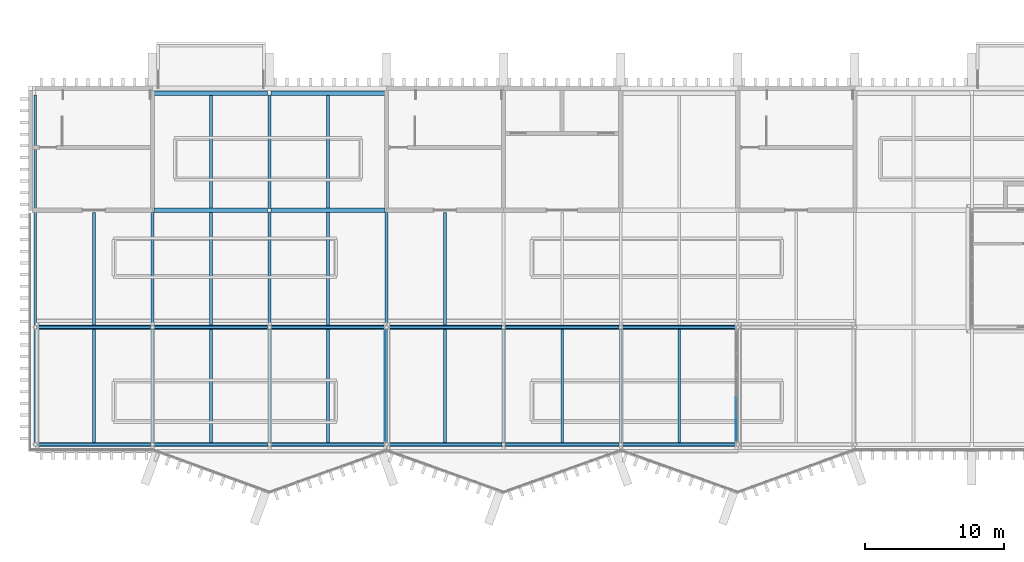
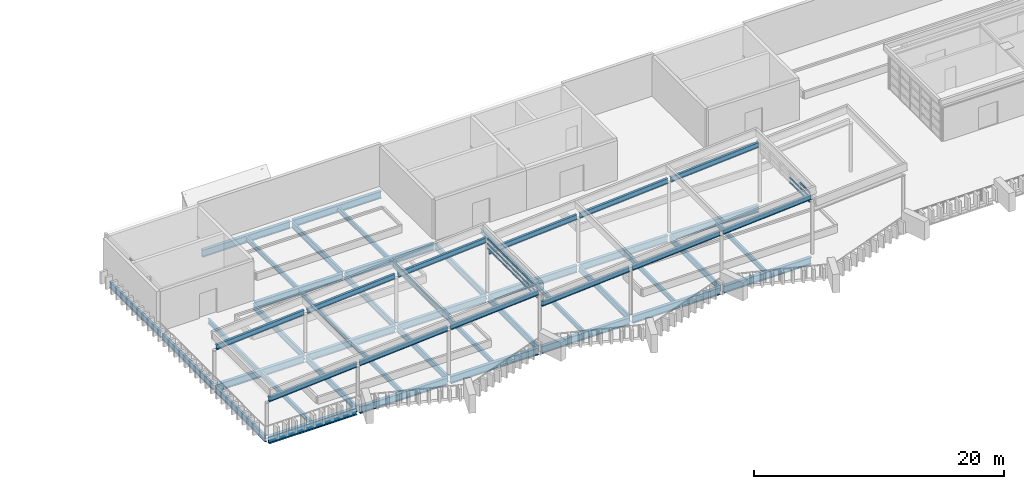
# One storey, part 11 of 51: 52 beams, 20 members, 2 elements without a shape of their own.
"""IFC4 building model written with IfcOpenShell, lengths in metres."""

from ifc_helpers import new_model, si_unit, direction, frame, origin, origin_2d, place, context, subcontext, project, spatial, rectangle, i_section, extrude, material, layer, layer_set, material_profile, profile_set, type_object, element, aggregate, save


model = new_model("IFC4")

# Units and contexts
model_context = context("Model", 3, precision=1e-05, world=origin(), true_north=direction((0.0, 1.0)))
body_context = subcontext(model_context, "Body", "Model", "MODEL_VIEW")
ifc_project = project(units=[si_unit("LENGTHUNIT", "METRE"), si_unit("AREAUNIT", "SQUARE_METRE"), si_unit("VOLUMEUNIT", "CUBIC_METRE"), si_unit("PLANEANGLEUNIT", "RADIAN"), si_unit("MASSUNIT", "GRAM", prefix="KILO")], contexts=[model_context])

# Site, building, storey
site_placement = place(None, origin())
site = spatial("IfcSite", under=ifc_project, at=site_placement, CompositionType="ELEMENT")
building_placement = place(site_placement, origin())
building = spatial("IfcBuilding", under=site, at=building_placement, Name="Cresset Court Congress Hotel", CompositionType="ELEMENT")
storey_placement = place(building_placement, frame((0.0, 0.0, 18.60009765625)))
storey = spatial("IfcBuildingStorey", under=building, at=storey_placement, Name="L04", CompositionType="ELEMENT", Elevation=18.60009765625)

# Curtain wall, members
ifc_material_1 = material(Name="Aluminium frame with double glazing", Category="aluminium")
ifc_layer = layer(ifc_material_1, 0.199951171875)
ifc_layer_set = layer_set([ifc_layer], Name="Glazed box curtain wall 1680 module")
curtain_wall_type = type_object("IfcCurtainWallType", Name="Glazed box curtain wall 1680 module", PredefinedType="NOTDEFINED", material=ifc_layer_set)
curtain_wall_1_placement = place(storey_placement, origin())
curtain_wall_1 = element("IfcCurtainWall", 1, at=curtain_wall_1_placement, inside=storey, type_object=curtain_wall_type, Name="Roof light face 1", PredefinedType="NOTDEFINED")
ifc_material_2 = material(Name="Aluminium", Category="aluminium")
ifc_material_profile_1 = material_profile(ifc_material_2, rectangle(XDim=0.06005859375, YDim=0.1201171875, at=origin_2d()), Name="Box transom 60x120")
ifc_profile_set_1 = profile_set([ifc_material_profile_1], Name="Aluminium")
member_type = type_object("IfcMemberType", Name="Box transom 60x120", PredefinedType="USERDEFINED", material=ifc_profile_set_1)
member_1_placement = place(storey_placement, frame((33.5, 0.260009765625, 4.429931640625), z_axis=(0.0, 1.0, 0.0), x_axis=(-1.0, 0.0, 0.0)))
member_1 = element("IfcMember", 2, at=member_1_placement, type_object=member_type, Name="B-X1 transom 1.1", ObjectType="TRANSOM", PredefinedType="USERDEFINED", context=body_context, shape_type="SweptSolid", body=[
    extrude(rectangle(XDim=0.06005859375, YDim=0.1201171875, at=origin_2d()), origin(), (0.0, 0.0, 1.0), 1.510009765625),
])
member_2_placement = place(storey_placement, frame((33.5, 0.260009765625, 4.8818359375), z_axis=(0.0, 1.0, 0.0), x_axis=(-1.0, 0.0, 0.0)))
member_2 = element("IfcMember", 3, at=member_2_placement, type_object=member_type, Name="B-X1 transom 1.2", ObjectType="TRANSOM", PredefinedType="USERDEFINED", context=body_context, shape_type="SweptSolid", body=[
    extrude(rectangle(XDim=0.06005859375, YDim=0.1201171875, at=origin_2d()), origin(), (0.0, 0.0, 1.0), 1.510009765625),
])
member_3_placement = place(storey_placement, frame((33.5, 0.260009765625, 5.333984375), z_axis=(0.0, 1.0, 0.0), x_axis=(-1.0, 0.0, 0.0)))
member_3 = element("IfcMember", 4, at=member_3_placement, type_object=member_type, Name="B-X1 transom 1.3", ObjectType="TRANSOM", PredefinedType="USERDEFINED", context=body_context, shape_type="SweptSolid", body=[
    extrude(rectangle(XDim=0.06005859375, YDim=0.1201171875, at=origin_2d()), origin(), (0.0, 0.0, 1.0), 1.510009765625),
])
member_4_placement = place(storey_placement, frame((33.5, 1.830078125, 4.429931640625), z_axis=(0.0, 1.0, 0.0), x_axis=(-1.0, 0.0, 0.0)))
member_4 = element("IfcMember", 5, at=member_4_placement, type_object=member_type, Name="B-X1 transom 2.1", ObjectType="TRANSOM", PredefinedType="USERDEFINED", context=body_context, shape_type="SweptSolid", body=[
    extrude(rectangle(XDim=0.06005859375, YDim=0.1201171875, at=origin_2d()), origin(), (0.0, 0.0, 1.0), 1.5400390625),
])
member_5_placement = place(storey_placement, frame((33.5, 1.830078125, 4.8818359375), z_axis=(0.0, 1.0, 0.0), x_axis=(-1.0, 0.0, 0.0)))
member_5 = element("IfcMember", 6, at=member_5_placement, type_object=member_type, Name="B-X1 transom 2.2", ObjectType="TRANSOM", PredefinedType="USERDEFINED", context=body_context, shape_type="SweptSolid", body=[
    extrude(rectangle(XDim=0.06005859375, YDim=0.1201171875, at=origin_2d()), origin(), (0.0, 0.0, 1.0), 1.5400390625),
])
member_6_placement = place(storey_placement, frame((33.5, 1.830078125, 5.333984375), z_axis=(0.0, 1.0, 0.0), x_axis=(-1.0, 0.0, 0.0)))
member_6 = element("IfcMember", 7, at=member_6_placement, type_object=member_type, Name="B-X1 transom 2.3", ObjectType="TRANSOM", PredefinedType="USERDEFINED", context=body_context, shape_type="SweptSolid", body=[
    extrude(rectangle(XDim=0.06005859375, YDim=0.1201171875, at=origin_2d()), origin(), (0.0, 0.0, 1.0), 1.5400390625),
])
member_7_placement = place(storey_placement, frame((33.5, 3.429931640625, 4.429931640625), z_axis=(0.0, 1.0, 0.0), x_axis=(-1.0, 0.0, 0.0)))
member_7 = element("IfcMember", 8, at=member_7_placement, type_object=member_type, Name="B-X1 transom 3.1", ObjectType="TRANSOM", PredefinedType="USERDEFINED", context=body_context, shape_type="SweptSolid", body=[
    extrude(rectangle(XDim=0.06005859375, YDim=0.1201171875, at=origin_2d()), origin(), (0.0, 0.0, 1.0), 1.5400390625),
])
member_8_placement = place(storey_placement, frame((33.5, 3.429931640625, 4.8818359375), z_axis=(0.0, 1.0, 0.0), x_axis=(-1.0, 0.0, 0.0)))
member_8 = element("IfcMember", 9, at=member_8_placement, type_object=member_type, Name="B-X1 transom 3.2", ObjectType="TRANSOM", PredefinedType="USERDEFINED", context=body_context, shape_type="SweptSolid", body=[
    extrude(rectangle(XDim=0.06005859375, YDim=0.1201171875, at=origin_2d()), origin(), (0.0, 0.0, 1.0), 1.5400390625),
])
member_9_placement = place(storey_placement, frame((33.5, 3.429931640625, 5.333984375), z_axis=(0.0, 1.0, 0.0), x_axis=(-1.0, 0.0, 0.0)))
member_9 = element("IfcMember", 10, at=member_9_placement, type_object=member_type, Name="B-X1 transom 3.3", ObjectType="TRANSOM", PredefinedType="USERDEFINED", context=body_context, shape_type="SweptSolid", body=[
    extrude(rectangle(XDim=0.06005859375, YDim=0.1201171875, at=origin_2d()), origin(), (0.0, 0.0, 1.0), 1.5400390625),
])
member_10_placement = place(storey_placement, frame((33.5, 5.030029296875, 4.429931640625), z_axis=(0.0, 1.0, 0.0), x_axis=(-1.0, 0.0, 0.0)))
member_10 = element("IfcMember", 11, at=member_10_placement, type_object=member_type, Name="B-X1 transom 4.1", ObjectType="TRANSOM", PredefinedType="USERDEFINED", context=body_context, shape_type="SweptSolid", body=[
    extrude(rectangle(XDim=0.06005859375, YDim=0.1201171875, at=origin_2d()), origin(), (0.0, 0.0, 1.0), 1.5400390625),
])
member_11_placement = place(storey_placement, frame((33.5, 5.030029296875, 4.8818359375), z_axis=(0.0, 1.0, 0.0), x_axis=(-1.0, 0.0, 0.0)))
member_11 = element("IfcMember", 12, at=member_11_placement, type_object=member_type, Name="B-X1 transom 4.2", ObjectType="TRANSOM", PredefinedType="USERDEFINED", context=body_context, shape_type="SweptSolid", body=[
    extrude(rectangle(XDim=0.06005859375, YDim=0.1201171875, at=origin_2d()), origin(), (0.0, 0.0, 1.0), 1.5400390625),
])
member_12_placement = place(storey_placement, frame((33.5, 5.030029296875, 5.333984375), z_axis=(0.0, 1.0, 0.0), x_axis=(-1.0, 0.0, 0.0)))
member_12 = element("IfcMember", 13, at=member_12_placement, type_object=member_type, Name="B-X1 transom 4.3", ObjectType="TRANSOM", PredefinedType="USERDEFINED", context=body_context, shape_type="SweptSolid", body=[
    extrude(rectangle(XDim=0.06005859375, YDim=0.1201171875, at=origin_2d()), origin(), (0.0, 0.0, 1.0), 1.5400390625),
])
member_13_placement = place(storey_placement, frame((33.5, 6.6298828125, 4.429931640625), z_axis=(0.0, 1.0, 0.0), x_axis=(-1.0, 0.0, 0.0)))
member_13 = element("IfcMember", 14, at=member_13_placement, type_object=member_type, Name="B-X1 transom 5.1", ObjectType="TRANSOM", PredefinedType="USERDEFINED", context=body_context, shape_type="SweptSolid", body=[
    extrude(rectangle(XDim=0.06005859375, YDim=0.1201171875, at=origin_2d()), origin(), (0.0, 0.0, 1.0), 1.510009765625),
])
member_14_placement = place(storey_placement, frame((33.5, 6.6298828125, 4.8818359375), z_axis=(0.0, 1.0, 0.0), x_axis=(-1.0, 0.0, 0.0)))
member_14 = element("IfcMember", 15, at=member_14_placement, type_object=member_type, Name="B-X1 transom 5.2", ObjectType="TRANSOM", PredefinedType="USERDEFINED", context=body_context, shape_type="SweptSolid", body=[
    extrude(rectangle(XDim=0.06005859375, YDim=0.1201171875, at=origin_2d()), origin(), (0.0, 0.0, 1.0), 1.510009765625),
])
member_15_placement = place(storey_placement, frame((33.5, 6.6298828125, 5.333984375), z_axis=(0.0, 1.0, 0.0), x_axis=(-1.0, 0.0, 0.0)))
member_15 = element("IfcMember", 16, at=member_15_placement, type_object=member_type, Name="B-X1 transom 5.3", ObjectType="TRANSOM", PredefinedType="USERDEFINED", context=body_context, shape_type="SweptSolid", body=[
    extrude(rectangle(XDim=0.06005859375, YDim=0.1201171875, at=origin_2d()), origin(), (0.0, 0.0, 1.0), 1.510009765625),
])
aggregate(curtain_wall_1, [member_1, member_2, member_3, member_4, member_5, member_6, member_7, member_8, member_9, member_10, member_11, member_12, member_13, member_14, member_15])

curtain_wall_2_placement = place(storey_placement, origin())
curtain_wall_2 = element("IfcCurtainWall", 17, at=curtain_wall_2_placement, inside=storey, type_object=curtain_wall_type, Name="Roof light face 2", PredefinedType="NOTDEFINED")
member_16_placement = place(storey_placement, frame((58.699951171875, 0.260009765625, 4.929931640625), z_axis=(0.0, 1.0, 0.0), x_axis=(-1.0, 0.0, 0.0)))
member_16 = element("IfcMember", 18, at=member_16_placement, type_object=member_type, Name="B-X1 transom 1.1", ObjectType="TRANSOM", PredefinedType="USERDEFINED", context=body_context, shape_type="SweptSolid", body=[
    extrude(rectangle(XDim=0.06005859375, YDim=0.1201171875, at=origin_2d()), origin(), (0.0, 0.0, 1.0), 1.510009765625),
])
member_17_placement = place(storey_placement, frame((58.699951171875, 0.260009765625, 5.3818359375), z_axis=(0.0, 1.0, 0.0), x_axis=(-1.0, 0.0, 0.0)))
member_17 = element("IfcMember", 19, at=member_17_placement, type_object=member_type, Name="B-X1 transom 1.2", ObjectType="TRANSOM", PredefinedType="USERDEFINED", context=body_context, shape_type="SweptSolid", body=[
    extrude(rectangle(XDim=0.06005859375, YDim=0.1201171875, at=origin_2d()), origin(), (0.0, 0.0, 1.0), 1.510009765625),
])
member_18_placement = place(storey_placement, frame((58.699951171875, 0.260009765625, 5.833984375), z_axis=(0.0, 1.0, 0.0), x_axis=(-1.0, 0.0, 0.0)))
member_18 = element("IfcMember", 20, at=member_18_placement, type_object=member_type, Name="B-X1 transom 1.3", ObjectType="TRANSOM", PredefinedType="USERDEFINED", context=body_context, shape_type="SweptSolid", body=[
    extrude(rectangle(XDim=0.06005859375, YDim=0.1201171875, at=origin_2d()), origin(), (0.0, 0.0, 1.0), 1.510009765625),
])
member_19_placement = place(storey_placement, frame((58.699951171875, 1.830078125, 4.929931640625), z_axis=(0.0, 1.0, 0.0), x_axis=(-1.0, 0.0, 0.0)))
member_19 = element("IfcMember", 21, at=member_19_placement, type_object=member_type, Name="B-X1 transom 2.1", ObjectType="TRANSOM", PredefinedType="USERDEFINED", context=body_context, shape_type="SweptSolid", body=[
    extrude(rectangle(XDim=0.06005859375, YDim=0.1201171875, at=origin_2d()), origin(), (0.0, 0.0, 1.0), 1.5400390625),
])
member_20_placement = place(storey_placement, frame((58.699951171875, 1.830078125, 5.3818359375), z_axis=(0.0, 1.0, 0.0), x_axis=(-1.0, 0.0, 0.0)))
member_20 = element("IfcMember", 22, at=member_20_placement, type_object=member_type, Name="B-X1 transom 2.2", ObjectType="TRANSOM", PredefinedType="USERDEFINED", context=body_context, shape_type="SweptSolid", body=[
    extrude(rectangle(XDim=0.06005859375, YDim=0.1201171875, at=origin_2d()), origin(), (0.0, 0.0, 1.0), 1.5400390625),
])
aggregate(curtain_wall_2, [member_16, member_17, member_18, member_19, member_20])

# Beams
ifc_material_3 = material(Name="Structural steel Q355B", Category="steel")
ifc_material_profile_2 = material_profile(ifc_material_3, i_section(OverallWidth=0.199951171875, OverallDepth=0.5, WebThickness=0.010009765625, FlangeThickness=0.01611328125, FilletRadius=0.012939453125, at=origin_2d()), Name="HN500x200x10x16")
ifc_profile_set_2 = profile_set([ifc_material_profile_2], Name="Structural steel Q355B")
beam_type_1 = type_object("IfcBeamType", Name="Roof rafter HN500x200x10x16", PredefinedType="BEAM", material=ifc_profile_set_2)
for number, where, z_axis, x_axis, name in (
    (23, (8.53662109375, 0.0, 3.359619140625), (0.997561388045, 0.0, 0.06979453475), (0.0, 1.0, 0.0), "Roof rafter 1"),
    (24, (8.53662109375, 8.39990234375, 3.359619140625), (0.997561388045, 0.0, 0.06979453475), (0.0, 1.0, 0.0), "Roof rafter 1"),
    (25, (16.9365234375, 0.0, 3.947509765625), (0.99755930113, 0.0, 0.069824356274), (0.0, 1.0, 0.0), "Roof rafter 1"),
    (26, (16.9365234375, 8.39990234375, 3.947509765625), (0.99755930113, 0.0, 0.069824356274), (0.0, 1.0, 0.0), "Roof rafter 1"),
    (27, (25.33642578125, 0.0, 4.535400390625), (0.99755930113, 0.0, 0.069824356274), (0.0, 1.0, 0.0), "Roof rafter 1"),
    (28, (25.33642578125, 8.39990234375, 4.535400390625), (0.99755930113, 0.0, 0.069824356274), (0.0, 1.0, 0.0), "Roof rafter 1"),
    (29, (33.736572265625, 0.0, 3.859619140625), (0.997561388045, 0.0, 0.06979453475), (0.0, 1.0, 0.0), "Roof rafter 2"),
    (30, (33.736572265625, 8.39990234375, 3.859619140625), (0.997561388045, 0.0, 0.06979453475), (0.0, 1.0, 0.0), "Roof rafter 2"),
    (31, (42.136474609375, 0.0, 4.447509765625), (0.99755930113, 0.0, 0.069824356274), (0.0, 1.0, 0.0), "Roof rafter 2"),
    (32, (42.136474609375, 8.39990234375, 4.447509765625), (0.99755930113, 0.0, 0.069824356274), (0.0, 1.0, 0.0), "Roof rafter 2"),
    (33, (50.53662109375, 0.0, 5.035400390625), (0.99755930113, 0.0, 0.069824356274), (0.0, 1.0, 0.0), "Roof rafter 2"),
    (34, (50.53662109375, 8.39990234375, 5.035400390625), (0.99755930113, 0.0, 0.069824356274), (0.0, 1.0, 0.0), "Roof rafter 2"),
):
    element("IfcBeam", number, at=place(storey_placement, frame(where, z_axis=z_axis, x_axis=x_axis)), inside=storey, type_object=beam_type_1, Name=name, PredefinedType="BEAM", context=body_context, shape_type="SweptSolid", body=[
        extrude(i_section(OverallWidth=0.199951171875, OverallDepth=0.5, WebThickness=0.010009765625, FlangeThickness=0.01611328125, FilletRadius=0.012939453125, at=origin_2d()), origin(), (0.0, 0.0, 1.0), 8.146728515625),
    ])
ifc_material_4 = material(Name="Structural steel Q355B", Category="steel")
ifc_material_profile_3 = material_profile(ifc_material_4, i_section(OverallWidth=0.199951171875, OverallDepth=0.60009765625, WebThickness=0.010986328125, FlangeThickness=0.01708984375, FilletRadius=0.012939453125, at=origin_2d()), Name="HN600x200x11x17")
ifc_profile_set_3 = profile_set([ifc_material_profile_3], Name="Structural steel Q355B")
beam_type_2 = type_object("IfcBeamType", Name="Steel beam HN600x200x11x17", PredefinedType="BEAM", material=ifc_profile_set_3)
beam_1_placement = place(storey_placement, frame((8.39990234375, 0.125, -0.550048828125), z_axis=(0.0, 1.0, 0.0), x_axis=(-1.0, 0.0, 0.0)))
element("IfcBeam", 35, at=beam_1_placement, inside=storey, type_object=beam_type_2, Name="B.by.L04.02A", PredefinedType="BEAM", context=body_context, shape_type="SweptSolid", body=[
    extrude(i_section(OverallWidth=0.199951171875, OverallDepth=0.60009765625, WebThickness=0.010986328125, FlangeThickness=0.01708984375, FilletRadius=0.012939453125, at=origin_2d()), origin(), (0.0, 0.0, 1.0), 8.14990234375),
])
beam_2_placement = place(storey_placement, frame((8.39990234375, 8.52490234375, -0.550048828125), z_axis=(0.0, 1.0, 0.0), x_axis=(-1.0, 0.0, 0.0)))
element("IfcBeam", 36, at=beam_2_placement, inside=storey, type_object=beam_type_2, Name="B.by.L04.02B", PredefinedType="BEAM", context=body_context, shape_type="SweptSolid", body=[
    extrude(i_section(OverallWidth=0.199951171875, OverallDepth=0.60009765625, WebThickness=0.010986328125, FlangeThickness=0.01708984375, FilletRadius=0.012939453125, at=origin_2d()), origin(), (0.0, 0.0, 1.0), 8.150146484375),
])
for number, where, z_axis, x_axis, name in (
    (37, (8.39990234375, 16.925048828125, -0.550048828125), (0.0, 1.0, 0.0), (-1.0, 0.0, 0.0), "B.by.L04.02C"),
    (38, (16.800048828125, 0.125, -0.550048828125), (0.0, 1.0, 0.0), (-1.0, 0.0, 0.0), "B.by.L04.03A"),
):
    element("IfcBeam", number, at=place(storey_placement, frame(where, z_axis=z_axis, x_axis=x_axis)), inside=storey, type_object=beam_type_2, Name=name, PredefinedType="BEAM", context=body_context, shape_type="SweptSolid", body=[
        extrude(i_section(OverallWidth=0.199951171875, OverallDepth=0.60009765625, WebThickness=0.010986328125, FlangeThickness=0.01708984375, FilletRadius=0.012939453125, at=origin_2d()), origin(), (0.0, 0.0, 1.0), 8.14990234375),
    ])
beam_3_placement = place(storey_placement, frame((16.800048828125, 8.52490234375, -0.550048828125), z_axis=(0.0, 1.0, 0.0), x_axis=(-1.0, 0.0, 0.0)))
element("IfcBeam", 39, at=beam_3_placement, inside=storey, type_object=beam_type_2, Name="B.by.L04.03B", PredefinedType="BEAM", context=body_context, shape_type="SweptSolid", body=[
    extrude(i_section(OverallWidth=0.199951171875, OverallDepth=0.60009765625, WebThickness=0.010986328125, FlangeThickness=0.01708984375, FilletRadius=0.012939453125, at=origin_2d()), origin(), (0.0, 0.0, 1.0), 8.150146484375),
])
beam_4_placement = place(storey_placement, frame((25.199951171875, 0.125, -0.550048828125), z_axis=(0.0, 1.0, 0.0), x_axis=(-1.0, 0.0, 0.0)))
element("IfcBeam", 40, at=beam_4_placement, inside=storey, type_object=beam_type_2, Name="B.by.L04.04A", PredefinedType="BEAM", context=body_context, shape_type="SweptSolid", body=[
    extrude(i_section(OverallWidth=0.199951171875, OverallDepth=0.60009765625, WebThickness=0.010986328125, FlangeThickness=0.01708984375, FilletRadius=0.012939453125, at=origin_2d()), origin(), (0.0, 0.0, 1.0), 8.14990234375),
])
beam_5_placement = place(storey_placement, frame((25.199951171875, 8.52490234375, -0.550048828125), z_axis=(0.0, 1.0, 0.0), x_axis=(-1.0, 0.0, 0.0)))
element("IfcBeam", 41, at=beam_5_placement, inside=storey, type_object=beam_type_2, Name="B.by.L04.04B", PredefinedType="BEAM", context=body_context, shape_type="SweptSolid", body=[
    extrude(i_section(OverallWidth=0.199951171875, OverallDepth=0.60009765625, WebThickness=0.010986328125, FlangeThickness=0.01708984375, FilletRadius=0.012939453125, at=origin_2d()), origin(), (0.0, 0.0, 1.0), 8.150146484375),
])
for number, where, z_axis, x_axis, name in (
    (42, (25.199951171875, 16.925048828125, -0.550048828125), (0.0, 1.0, 0.0), (-1.0, 0.0, 0.0), "B.by.L04.04C"),
    (43, (33.60009765625, 0.125, -0.550048828125), (0.0, 1.0, 0.0), (-1.0, 0.0, 0.0), "B.by.L04.05A"),
):
    element("IfcBeam", number, at=place(storey_placement, frame(where, z_axis=z_axis, x_axis=x_axis)), inside=storey, type_object=beam_type_2, Name=name, PredefinedType="BEAM", context=body_context, shape_type="SweptSolid", body=[
        extrude(i_section(OverallWidth=0.199951171875, OverallDepth=0.60009765625, WebThickness=0.010986328125, FlangeThickness=0.01708984375, FilletRadius=0.012939453125, at=origin_2d()), origin(), (0.0, 0.0, 1.0), 8.14990234375),
    ])
beam_6_placement = place(storey_placement, frame((33.60009765625, 8.52490234375, -0.550048828125), z_axis=(0.0, 1.0, 0.0), x_axis=(-1.0, 0.0, 0.0)))
element("IfcBeam", 44, at=beam_6_placement, inside=storey, type_object=beam_type_2, Name="B.by.L04.05B", PredefinedType="BEAM", context=body_context, shape_type="SweptSolid", body=[
    extrude(i_section(OverallWidth=0.199951171875, OverallDepth=0.60009765625, WebThickness=0.010986328125, FlangeThickness=0.01708984375, FilletRadius=0.012939453125, at=origin_2d()), origin(), (0.0, 0.0, 1.0), 8.150146484375),
])
for number, where, z_axis, x_axis, name in (
    (45, (42.0, 0.125, -0.550048828125), (0.0, 1.0, 0.0), (-1.0, 0.0, 0.0), "B.by.L04.06A"),
    (46, (50.39990234375, 0.125, -0.550048828125), (0.0, 1.0, 0.0), (-1.0, 0.0, 0.0), "B.by.L04.07A"),
):
    element("IfcBeam", number, at=place(storey_placement, frame(where, z_axis=z_axis, x_axis=x_axis)), inside=storey, type_object=beam_type_2, Name=name, PredefinedType="BEAM", context=body_context, shape_type="SweptSolid", body=[
        extrude(i_section(OverallWidth=0.199951171875, OverallDepth=0.60009765625, WebThickness=0.010986328125, FlangeThickness=0.01708984375, FilletRadius=0.012939453125, at=origin_2d()), origin(), (0.0, 0.0, 1.0), 8.14990234375),
    ])
ifc_material_5 = material(Name="Structural steel Q355B", Category="steel")
ifc_material_profile_4 = material_profile(ifc_material_5, i_section(OverallWidth=0.300048828125, OverallDepth=0.699951171875, WebThickness=0.012939453125, FlangeThickness=0.02392578125, FilletRadius=0.01806640625, at=origin_2d()), Name="HN700x300x13x24")
ifc_profile_set_4 = profile_set([ifc_material_profile_4], Name="Structural steel Q355B")
beam_type_3 = type_object("IfcBeamType", Name="Steel beam HN700x300x13x24", PredefinedType="BEAM", material=ifc_profile_set_4)
beam_7_placement = place(storey_placement, frame((8.52490234375, 0.0, -0.60009765625), z_axis=(1.0, 0.0, 0.0), x_axis=(0.0, 1.0, 0.0)))
element("IfcBeam", 47, at=beam_7_placement, inside=storey, type_object=beam_type_3, Name="B.bx.L04.A02", PredefinedType="BEAM", context=body_context, shape_type="SweptSolid", body=[
    extrude(i_section(OverallWidth=0.300048828125, OverallDepth=0.699951171875, WebThickness=0.012939453125, FlangeThickness=0.02392578125, FilletRadius=0.01806640625, at=origin_2d()), origin(), (0.0, 0.0, 1.0), 8.150146484375),
])
beam_8_placement = place(storey_placement, frame((16.925048828125, 0.0, -0.60009765625), z_axis=(1.0, 0.0, 0.0), x_axis=(0.0, 1.0, 0.0)))
element("IfcBeam", 48, at=beam_8_placement, inside=storey, type_object=beam_type_3, Name="B.bx.L04.A03", PredefinedType="BEAM", context=body_context, shape_type="SweptSolid", body=[
    extrude(i_section(OverallWidth=0.300048828125, OverallDepth=0.699951171875, WebThickness=0.012939453125, FlangeThickness=0.02392578125, FilletRadius=0.01806640625, at=origin_2d()), origin(), (0.0, 0.0, 1.0), 8.14990234375),
])
beam_9_placement = place(storey_placement, frame((25.324951171875, 0.0, -0.60009765625), z_axis=(1.0, 0.0, 0.0), x_axis=(0.0, 1.0, 0.0)))
element("IfcBeam", 49, at=beam_9_placement, inside=storey, type_object=beam_type_3, Name="B.bx.L04.A04", PredefinedType="BEAM", context=body_context, shape_type="SweptSolid", body=[
    extrude(i_section(OverallWidth=0.300048828125, OverallDepth=0.699951171875, WebThickness=0.012939453125, FlangeThickness=0.02392578125, FilletRadius=0.01806640625, at=origin_2d()), origin(), (0.0, 0.0, 1.0), 8.150146484375),
])
for number, where, z_axis, x_axis, name in (
    (50, (33.72509765625, 0.0, -0.60009765625), (1.0, 0.0, 0.0), (0.0, 1.0, 0.0), "B.bx.L04.A05"),
    (51, (42.125, 0.0, -0.60009765625), (1.0, 0.0, 0.0), (0.0, 1.0, 0.0), "B.bx.L04.A06"),
):
    element("IfcBeam", number, at=place(storey_placement, frame(where, z_axis=z_axis, x_axis=x_axis)), inside=storey, type_object=beam_type_3, Name=name, PredefinedType="BEAM", context=body_context, shape_type="SweptSolid", body=[
        extrude(i_section(OverallWidth=0.300048828125, OverallDepth=0.699951171875, WebThickness=0.012939453125, FlangeThickness=0.02392578125, FilletRadius=0.01806640625, at=origin_2d()), origin(), (0.0, 0.0, 1.0), 8.14990234375),
    ])
for number, where, z_axis, x_axis, name in (
    (52, (50.52490234375, 0.0, -0.60009765625), (1.0, 0.0, 0.0), (0.0, 1.0, 0.0), "B.bx.L04.A07"),
    (53, (8.52490234375, 8.39990234375, -0.60009765625), (1.0, 0.0, 0.0), (0.0, 1.0, 0.0), "B.bx.L04.B02"),
):
    element("IfcBeam", number, at=place(storey_placement, frame(where, z_axis=z_axis, x_axis=x_axis)), inside=storey, type_object=beam_type_3, Name=name, PredefinedType="BEAM", context=body_context, shape_type="SweptSolid", body=[
        extrude(i_section(OverallWidth=0.300048828125, OverallDepth=0.699951171875, WebThickness=0.012939453125, FlangeThickness=0.02392578125, FilletRadius=0.01806640625, at=origin_2d()), origin(), (0.0, 0.0, 1.0), 8.150146484375),
    ])
beam_10_placement = place(storey_placement, frame((16.925048828125, 8.39990234375, -0.60009765625), z_axis=(1.0, 0.0, 0.0), x_axis=(0.0, 1.0, 0.0)))
element("IfcBeam", 54, at=beam_10_placement, inside=storey, type_object=beam_type_3, Name="B.bx.L04.B03", PredefinedType="BEAM", context=body_context, shape_type="SweptSolid", body=[
    extrude(i_section(OverallWidth=0.300048828125, OverallDepth=0.699951171875, WebThickness=0.012939453125, FlangeThickness=0.02392578125, FilletRadius=0.01806640625, at=origin_2d()), origin(), (0.0, 0.0, 1.0), 8.14990234375),
])
beam_11_placement = place(storey_placement, frame((25.324951171875, 8.39990234375, -0.60009765625), z_axis=(1.0, 0.0, 0.0), x_axis=(0.0, 1.0, 0.0)))
element("IfcBeam", 55, at=beam_11_placement, inside=storey, type_object=beam_type_3, Name="B.bx.L04.B04", PredefinedType="BEAM", context=body_context, shape_type="SweptSolid", body=[
    extrude(i_section(OverallWidth=0.300048828125, OverallDepth=0.699951171875, WebThickness=0.012939453125, FlangeThickness=0.02392578125, FilletRadius=0.01806640625, at=origin_2d()), origin(), (0.0, 0.0, 1.0), 8.150146484375),
])
for number, where, z_axis, x_axis, name in (
    (56, (33.72509765625, 8.39990234375, -0.60009765625), (1.0, 0.0, 0.0), (0.0, 1.0, 0.0), "B.bx.L04.B05"),
    (57, (42.125, 8.39990234375, -0.60009765625), (1.0, 0.0, 0.0), (0.0, 1.0, 0.0), "B.bx.L04.B06"),
):
    element("IfcBeam", number, at=place(storey_placement, frame(where, z_axis=z_axis, x_axis=x_axis)), inside=storey, type_object=beam_type_3, Name=name, PredefinedType="BEAM", context=body_context, shape_type="SweptSolid", body=[
        extrude(i_section(OverallWidth=0.300048828125, OverallDepth=0.699951171875, WebThickness=0.012939453125, FlangeThickness=0.02392578125, FilletRadius=0.01806640625, at=origin_2d()), origin(), (0.0, 0.0, 1.0), 8.14990234375),
    ])
beam_12_placement = place(storey_placement, frame((50.52490234375, 8.39990234375, -0.60009765625), z_axis=(1.0, 0.0, 0.0), x_axis=(0.0, 1.0, 0.0)))
element("IfcBeam", 58, at=beam_12_placement, inside=storey, type_object=beam_type_3, Name="B.bx.L04.B07", PredefinedType="BEAM", context=body_context, shape_type="SweptSolid", body=[
    extrude(i_section(OverallWidth=0.300048828125, OverallDepth=0.699951171875, WebThickness=0.012939453125, FlangeThickness=0.02392578125, FilletRadius=0.01806640625, at=origin_2d()), origin(), (0.0, 0.0, 1.0), 8.150146484375),
])
beam_13_placement = place(storey_placement, frame((16.925048828125, 16.800048828125, -0.60009765625), z_axis=(1.0, 0.0, 0.0), x_axis=(0.0, 1.0, 0.0)))
element("IfcBeam", 59, at=beam_13_placement, inside=storey, type_object=beam_type_3, Name="B.bx.L04.C03", PredefinedType="BEAM", context=body_context, shape_type="SweptSolid", body=[
    extrude(i_section(OverallWidth=0.300048828125, OverallDepth=0.699951171875, WebThickness=0.012939453125, FlangeThickness=0.02392578125, FilletRadius=0.01806640625, at=origin_2d()), origin(), (0.0, 0.0, 1.0), 8.14990234375),
])
beam_14_placement = place(storey_placement, frame((25.324951171875, 16.800048828125, -0.60009765625), z_axis=(1.0, 0.0, 0.0), x_axis=(0.0, 1.0, 0.0)))
element("IfcBeam", 60, at=beam_14_placement, inside=storey, type_object=beam_type_3, Name="B.bx.L04.C04", PredefinedType="BEAM", context=body_context, shape_type="SweptSolid", body=[
    extrude(i_section(OverallWidth=0.300048828125, OverallDepth=0.699951171875, WebThickness=0.012939453125, FlangeThickness=0.02392578125, FilletRadius=0.01806640625, at=origin_2d()), origin(), (0.0, 0.0, 1.0), 8.150146484375),
])
beam_15_placement = place(storey_placement, frame((16.925048828125, 25.199951171875, -0.60009765625), z_axis=(1.0, 0.0, 0.0), x_axis=(0.0, 1.0, 0.0)))
element("IfcBeam", 61, at=beam_15_placement, inside=storey, type_object=beam_type_3, Name="B.bx.L04.D03", PredefinedType="BEAM", context=body_context, shape_type="SweptSolid", body=[
    extrude(i_section(OverallWidth=0.300048828125, OverallDepth=0.699951171875, WebThickness=0.012939453125, FlangeThickness=0.02392578125, FilletRadius=0.01806640625, at=origin_2d()), origin(), (0.0, 0.0, 1.0), 8.14990234375),
])
beam_16_placement = place(storey_placement, frame((25.324951171875, 25.199951171875, -0.60009765625), z_axis=(1.0, 0.0, 0.0), x_axis=(0.0, 1.0, 0.0)))
element("IfcBeam", 62, at=beam_16_placement, inside=storey, type_object=beam_type_3, Name="B.bx.L04.D04", PredefinedType="BEAM", context=body_context, shape_type="SweptSolid", body=[
    extrude(i_section(OverallWidth=0.300048828125, OverallDepth=0.699951171875, WebThickness=0.012939453125, FlangeThickness=0.02392578125, FilletRadius=0.01806640625, at=origin_2d()), origin(), (0.0, 0.0, 1.0), 8.150146484375),
])
ifc_material_6 = material(Name="Structural steel Q355B", Category="steel")
ifc_material_profile_5 = material_profile(ifc_material_6, i_section(OverallWidth=0.199951171875, OverallDepth=0.449951171875, WebThickness=0.009033203125, FlangeThickness=0.013916015625, FilletRadius=0.012939453125, at=origin_2d()), Name="HN450x200x9x14")
ifc_profile_set_5 = profile_set([ifc_material_profile_5], Name="Structural steel Q355B")
beam_type_4 = type_object("IfcBeamType", Name="Steel joist HN450x200x9x14", PredefinedType="JOIST", material=ifc_profile_set_5)
beam_17_placement = place(storey_placement, frame((12.60009765625, 0.14990234375, -0.47509765625), z_axis=(0.0, 1.0, 0.0), x_axis=(-1.0, 0.0, 0.0)))
element("IfcBeam", 63, at=beam_17_placement, inside=storey, type_object=beam_type_4, Name="B.bj.L04.02A", PredefinedType="JOIST", context=body_context, shape_type="SweptSolid", body=[
    extrude(i_section(OverallWidth=0.199951171875, OverallDepth=0.449951171875, WebThickness=0.009033203125, FlangeThickness=0.013916015625, FilletRadius=0.012939453125, at=origin_2d()), origin(), (0.0, 0.0, 1.0), 8.10009765625),
])
beam_18_placement = place(storey_placement, frame((12.60009765625, 8.550048828125, -0.47509765625), z_axis=(0.0, 1.0, 0.0), x_axis=(-1.0, 0.0, 0.0)))
element("IfcBeam", 64, at=beam_18_placement, inside=storey, type_object=beam_type_4, Name="B.bj.L04.02B", PredefinedType="JOIST", context=body_context, shape_type="SweptSolid", body=[
    extrude(i_section(OverallWidth=0.199951171875, OverallDepth=0.449951171875, WebThickness=0.009033203125, FlangeThickness=0.013916015625, FilletRadius=0.012939453125, at=origin_2d()), origin(), (0.0, 0.0, 1.0), 8.099853515625),
])
beam_19_placement = place(storey_placement, frame((21.0, 0.14990234375, -0.47509765625), z_axis=(0.0, 1.0, 0.0), x_axis=(-1.0, 0.0, 0.0)))
element("IfcBeam", 65, at=beam_19_placement, inside=storey, type_object=beam_type_4, Name="B.bj.L04.03A", PredefinedType="JOIST", context=body_context, shape_type="SweptSolid", body=[
    extrude(i_section(OverallWidth=0.199951171875, OverallDepth=0.449951171875, WebThickness=0.009033203125, FlangeThickness=0.013916015625, FilletRadius=0.012939453125, at=origin_2d()), origin(), (0.0, 0.0, 1.0), 8.10009765625),
])
beam_20_placement = place(storey_placement, frame((21.0, 8.550048828125, -0.47509765625), z_axis=(0.0, 1.0, 0.0), x_axis=(-1.0, 0.0, 0.0)))
element("IfcBeam", 66, at=beam_20_placement, inside=storey, type_object=beam_type_4, Name="B.bj.L04.03B", PredefinedType="JOIST", context=body_context, shape_type="SweptSolid", body=[
    extrude(i_section(OverallWidth=0.199951171875, OverallDepth=0.449951171875, WebThickness=0.009033203125, FlangeThickness=0.013916015625, FilletRadius=0.012939453125, at=origin_2d()), origin(), (0.0, 0.0, 1.0), 8.099853515625),
])
for number, where, z_axis, x_axis, name in (
    (67, (21.0, 16.949951171875, -0.47509765625), (0.0, 1.0, 0.0), (-1.0, 0.0, 0.0), "B.bj.L04.03C"),
    (68, (29.39990234375, 0.14990234375, -0.47509765625), (0.0, 1.0, 0.0), (-1.0, 0.0, 0.0), "B.bj.L04.04A"),
):
    element("IfcBeam", number, at=place(storey_placement, frame(where, z_axis=z_axis, x_axis=x_axis)), inside=storey, type_object=beam_type_4, Name=name, PredefinedType="JOIST", context=body_context, shape_type="SweptSolid", body=[
        extrude(i_section(OverallWidth=0.199951171875, OverallDepth=0.449951171875, WebThickness=0.009033203125, FlangeThickness=0.013916015625, FilletRadius=0.012939453125, at=origin_2d()), origin(), (0.0, 0.0, 1.0), 8.10009765625),
    ])
beam_21_placement = place(storey_placement, frame((29.39990234375, 8.550048828125, -0.47509765625), z_axis=(0.0, 1.0, 0.0), x_axis=(-1.0, 0.0, 0.0)))
element("IfcBeam", 69, at=beam_21_placement, inside=storey, type_object=beam_type_4, Name="B.bj.L04.04B", PredefinedType="JOIST", context=body_context, shape_type="SweptSolid", body=[
    extrude(i_section(OverallWidth=0.199951171875, OverallDepth=0.449951171875, WebThickness=0.009033203125, FlangeThickness=0.013916015625, FilletRadius=0.012939453125, at=origin_2d()), origin(), (0.0, 0.0, 1.0), 8.099853515625),
])
for number, where, z_axis, x_axis, name in (
    (70, (29.39990234375, 16.949951171875, -0.47509765625), (0.0, 1.0, 0.0), (-1.0, 0.0, 0.0), "B.bj.L04.04C"),
    (71, (37.800048828125, 0.14990234375, -0.47509765625), (0.0, 1.0, 0.0), (-1.0, 0.0, 0.0), "B.bj.L04.05A"),
):
    element("IfcBeam", number, at=place(storey_placement, frame(where, z_axis=z_axis, x_axis=x_axis)), inside=storey, type_object=beam_type_4, Name=name, PredefinedType="JOIST", context=body_context, shape_type="SweptSolid", body=[
        extrude(i_section(OverallWidth=0.199951171875, OverallDepth=0.449951171875, WebThickness=0.009033203125, FlangeThickness=0.013916015625, FilletRadius=0.012939453125, at=origin_2d()), origin(), (0.0, 0.0, 1.0), 8.10009765625),
    ])
beam_22_placement = place(storey_placement, frame((37.800048828125, 8.550048828125, -0.47509765625), z_axis=(0.0, 1.0, 0.0), x_axis=(-1.0, 0.0, 0.0)))
element("IfcBeam", 72, at=beam_22_placement, inside=storey, type_object=beam_type_4, Name="B.bj.L04.05B", PredefinedType="JOIST", context=body_context, shape_type="SweptSolid", body=[
    extrude(i_section(OverallWidth=0.199951171875, OverallDepth=0.449951171875, WebThickness=0.009033203125, FlangeThickness=0.013916015625, FilletRadius=0.012939453125, at=origin_2d()), origin(), (0.0, 0.0, 1.0), 8.099853515625),
])
for number, where, z_axis, x_axis, name in (
    (73, (46.199951171875, 0.14990234375, -0.47509765625), (0.0, 1.0, 0.0), (-1.0, 0.0, 0.0), "B.bj.L04.06A"),
    (74, (54.60009765625, 0.14990234375, -0.47509765625), (0.0, 1.0, 0.0), (-1.0, 0.0, 0.0), "B.bj.L04.07A"),
):
    element("IfcBeam", number, at=place(storey_placement, frame(where, z_axis=z_axis, x_axis=x_axis)), inside=storey, type_object=beam_type_4, Name=name, PredefinedType="JOIST", context=body_context, shape_type="SweptSolid", body=[
        extrude(i_section(OverallWidth=0.199951171875, OverallDepth=0.449951171875, WebThickness=0.009033203125, FlangeThickness=0.013916015625, FilletRadius=0.012939453125, at=origin_2d()), origin(), (0.0, 0.0, 1.0), 8.10009765625),
    ])

save(model, "model.ifc")
